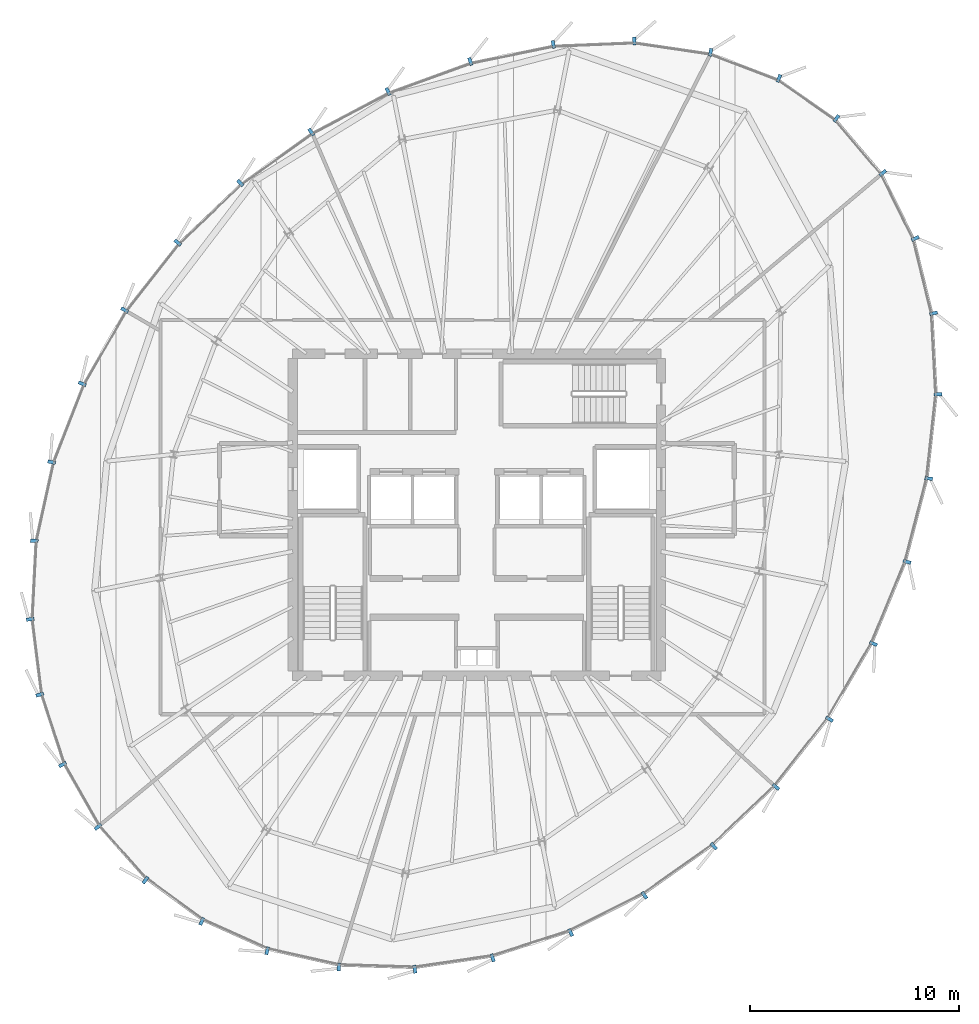
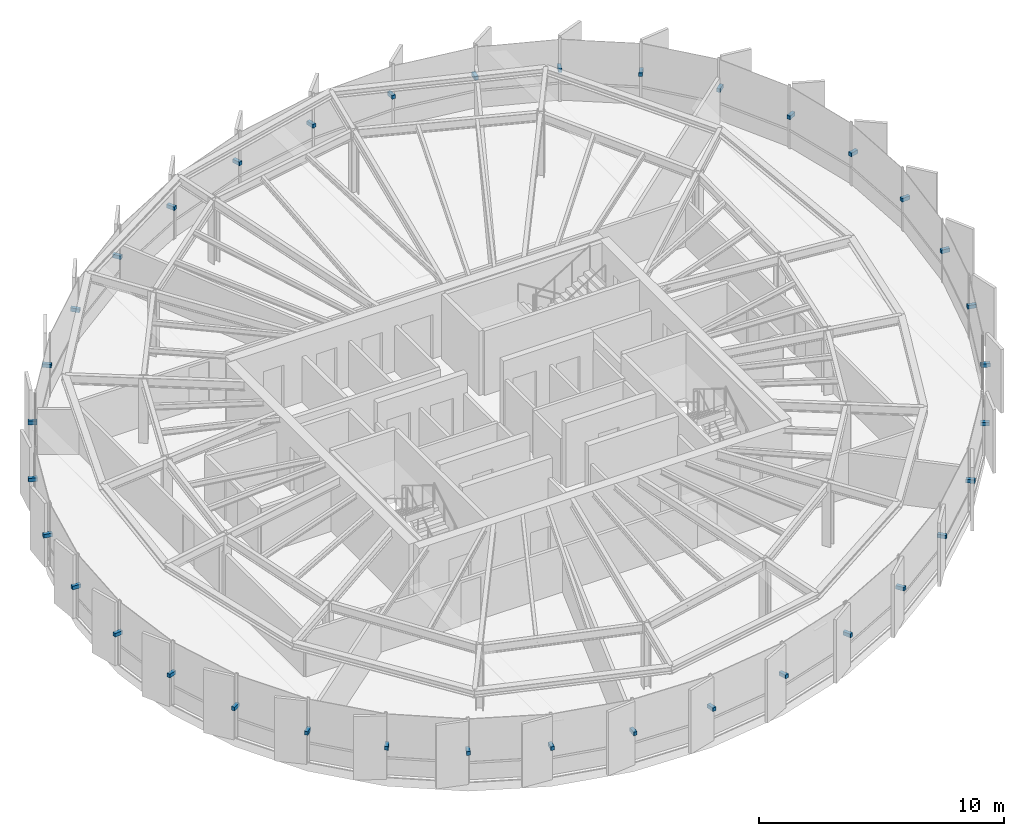
# One storey, part 31 of 36: 36 discrete accessories.
"""IFC4 building model written with IfcOpenShell, lengths in metres."""

from ifc_helpers import new_model, si_unit, direction, frame, origin, origin_2d, place, context, subcontext, project, spatial, rectangle, extrude, source, transform, mapped, material, type_object, element, save


model = new_model("IFC4")

# Units and contexts
model_context = context("Model", 3, precision=1e-05, world=origin(), true_north=direction((0.0, 1.0)))
body_context = subcontext(model_context, "Body", "Model", "MODEL_VIEW")
ifc_project = project(units=[si_unit("LENGTHUNIT", "METRE"), si_unit("AREAUNIT", "SQUARE_METRE"), si_unit("VOLUMEUNIT", "CUBIC_METRE"), si_unit("PLANEANGLEUNIT", "RADIAN"), si_unit("MASSUNIT", "GRAM", prefix="KILO"), si_unit("THERMODYNAMICTEMPERATUREUNIT", "KELVIN")], contexts=[model_context])

# Site, building, storey
site_placement = place(None, origin())
site = spatial("IfcSite", under=ifc_project, at=site_placement, CompositionType="ELEMENT")
building_placement = place(site_placement, origin())
building = spatial("IfcBuilding", under=site, at=building_placement, Name="Kethvar Cultural Tower", CompositionType="ELEMENT")
storey_placement = place(building_placement, frame((0.0, 0.0, 228.39990234375)))
storey = spatial("IfcBuildingStorey", under=building, at=storey_placement, Name="L59", CompositionType="ELEMENT", Elevation=228.39990234375)

# Discrete accessories
ifc_material = material(Name="Steel S355J2", Category="steel")
discrete_accessory_type = type_object("IfcDiscreteAccessoryType", Name="Steel Fin Bracket BRK-01", PredefinedType="BRACKET", material=ifc_material)
shared_shape = source(origin(), body_context, "Body", "SweptSolid", [
    extrude(rectangle(XDim=0.3798828125, YDim=0.159912109375, at=origin_2d()), origin(), (0.0, 0.0, 1.0), 0.179931640625),
])
for number, where, z_axis, x_axis, name in (
    (1, (63.977294921875, 46.732177734375, 1.51513671875), (0.0, 0.0, 1.0), (0.572718307995, 0.819752242868, 0.0), "L59 Terracotta Fin Bracket 1.1"),
    (2, (61.232666015625, 48.649658203125, 1.51513671875), (0.0, 0.0, 1.0), (0.356411878713, 0.934328942457, 0.0), "L59 Terracotta Fin Bracket 1.2"),
    (3, (57.966796875, 49.89501953125, 1.51513671875), (0.0, 0.0, 1.0), (0.145737698481, 0.989323265289, 0.0), "L59 Terracotta Fin Bracket 1.3"),
    (4, (54.327880859375, 50.430908203125, 1.51513671875), (0.0, 0.0, 1.0), (-0.041003738744, 0.999158993058, 0.0), "L59 Terracotta Fin Bracket 1.4"),
    (5, (50.453369140625, 50.271728515625, 1.51513671875), (0.0, 0.0, 1.0), (-0.20159079796, 0.979469831173, 0.0), "L59 Terracotta Fin Bracket 1.5"),
    (6, (46.491455078125, 49.4560546875, 1.51513671875), (0.0, 0.0, 1.0), (-0.341528074559, 0.939871573295, 0.0), "L59 Terracotta Fin Bracket 1.6"),
    (7, (42.558837890625, 48.02197265625, 1.51513671875), (0.0, 0.0, 1.0), (-0.467004080655, 0.884255160376, 0.0), "L59 Terracotta Fin Bracket 2.1"),
    (8, (38.886474609375, 46.082275390625, 1.51513671875), (0.0, 0.0, 1.0), (-0.582690479669, 0.812694164433, 0.0), "L59 Terracotta Fin Bracket 2.2"),
    (9, (35.496337890625, 43.6513671875, 1.51513671875), (0.0, 0.0, 1.0), (-0.689872285383, 0.723931094691, 0.0), "L59 Terracotta Fin Bracket 2.3"),
    (10, (32.50830078125, 40.8037109375, 1.51513671875), (0.0, 0.0, 1.0), (-0.785856893175, 0.618408395358, 0.0), "L59 Terracotta Fin Bracket 2.4"),
    (11, (29.97119140625, 37.5791015625, 1.51513671875), (0.0, 0.0, 1.0), (-0.866809733209, 0.498639034186, 0.0), "L59 Terracotta Fin Bracket 2.5"),
    (12, (27.945556640625, 34.0576171875, 1.51513671875), (0.0, 0.0, 1.0), (-0.931183125162, 0.364551762325, 0.0), "L59 Terracotta Fin Bracket 2.6"),
    (13, (26.48486328125, 30.311279296875, 1.51513671875), (0.0, 0.0, 1.0), (-0.976522126798, 0.215417120661, 0.0), "L59 Terracotta Fin Bracket 3.1"),
    (14, (25.656494140625, 26.556884765625, 1.51513671875), (0.0, 0.0, 1.0), (-0.998665828782, 0.05163876861, 0.0), "L59 Terracotta Fin Bracket 3.2"),
    (15, (25.463134765625, 22.805419921875, 1.51513671875), (0.0, 0.0, 1.0), (-0.992114701314, -0.125333233564, 0.0), "L59 Terracotta Fin Bracket 3.3"),
    (16, (25.91796875, 19.205810546875, 1.51513671875), (0.0, 0.0, 1.0), (-0.950678271124, -0.310178698193, 0.0), "L59 Terracotta Fin Bracket 3.4"),
    (17, (27.00732421875, 15.8671875, 1.51513671875), (0.0, 0.0, 1.0), (-0.869494929505, -0.493941866584, 0.0), "L59 Terracotta Fin Bracket 3.5"),
    (18, (28.6982421875, 12.890869140625, 1.51513671875), (0.0, 0.0, 1.0), (-0.747682202125, -0.664056717928, 0.0), "L59 Terracotta Fin Bracket 3.6"),
    (19, (30.968017578125, 10.3466796875, 1.51513671875), (0.0, 0.0, 1.0), (-0.590746499768, -0.806857219719, 0.0), "L59 Terracotta Fin Bracket 4.1"),
    (20, (33.662353515625, 8.37451171875, 1.51513671875), (0.0, 0.0, 1.0), (-0.409923033842, -0.912120116172, 0.0), "L59 Terracotta Fin Bracket 4.2"),
    (21, (36.784423828125, 6.971435546875, 1.51513671875), (0.0, 0.0, 1.0), (-0.219335385547, -0.97564952142, 0.0), "L59 Terracotta Fin Bracket 4.3"),
    (22, (40.2109375, 6.20166015625, 1.51513671875), (0.0, 0.0, 1.0), (-0.031410759078, -0.999506560366, 0.0), "L59 Terracotta Fin Bracket 4.4"),
    (23, (43.83740234375, 6.087890625, 1.51513671875), (0.0, 0.0, 1.0), (0.145392350643, -0.989374077068, 0.0), "L59 Terracotta Fin Bracket 4.5"),
    (24, (47.553955078125, 6.6337890625, 1.51513671875), (0.0, 0.0, 1.0), (0.306359942125, -0.951915745148, 0.0), "L59 Terracotta Fin Bracket 4.6"),
    (25, (51.279296875, 7.839111328125, 1.51513671875), (0.0, 0.0, 1.0), (0.450565941999, -0.892743150022, 0.0), "L59 Terracotta Fin Bracket 5.1"),
    (26, (54.8056640625, 9.618896484375, 1.51513671875), (0.0, 0.0, 1.0), (0.578000058462, -0.816036722469, 0.0), "L59 Terracotta Fin Bracket 5.2"),
    (27, (58.12060546875, 11.967041015625, 1.51513671875), (0.0, 0.0, 1.0), (0.689619543736, -0.724171861437, 0.0), "L59 Terracotta Fin Bracket 5.3"),
    (28, (61.091796875, 14.79638671875, 1.51513671875), (0.0, 0.0, 1.0), (0.78564098005, -0.618682673481, 0.0), "L59 Terracotta Fin Bracket 5.4"),
    (29, (63.6455078125, 18.039306640625, 1.51513671875), (0.0, 0.0, 1.0), (0.863923417193, -0.503623201636, 0.0), "L59 Terracotta Fin Bracket 5.5"),
    (30, (65.74658203125, 21.643310546875, 1.51513671875), (0.0, 0.0, 1.0), (0.924279771018, -0.381715738328, 0.0), "L59 Terracotta Fin Bracket 5.6"),
    (31, (67.354248046875, 25.549560546875, 1.51513671875), (0.0, 0.0, 1.0), (0.967841021032, -0.251562632376, 0.0), "L59 Terracotta Fin Bracket 6.1"),
    (32, (68.38916015625, 29.532470703125, 1.51513671875), (0.0, 0.0, 1.0), (0.994094279368, -0.108519877105, 0.0), "L59 Terracotta Fin Bracket 6.2"),
    (33, (68.828369140625, 33.553466796875, 1.51513671875), (0.0, 0.0, 1.0), (0.998583482773, 0.053207404874, 0.0), "L59 Terracotta Fin Bracket 6.3"),
    (34, (68.621826171875, 37.426025390625, 1.51513671875), (0.0, 0.0, 1.0), (0.971217484627, 0.23819445324, 0.0), "L59 Terracotta Fin Bracket 6.4"),
    (35, (67.7451171875, 40.998779296875, 1.51513671875), (0.0, 0.0, 1.0), (0.896641036785, 0.442758231039, 0.0), "L59 Terracotta Fin Bracket 6.5"),
    (36, (66.197509765625, 44.1328125, 1.51513671875), (0.0, 0.0, 1.0), (0.762216599426, 0.647322064787, 0.0), "L59 Terracotta Fin Bracket 6.6"),
):
    element("IfcDiscreteAccessory", number, at=place(storey_placement, frame(where, z_axis=z_axis, x_axis=x_axis)), inside=storey, type_object=discrete_accessory_type, Name=name, PredefinedType="BRACKET", context=body_context, shape_type="MappedRepresentation", body=[
        mapped(shared_shape, transform((0.0, 0.0, 0.0), scale=1.0)),
    ])

save(model, "model.ifc")
